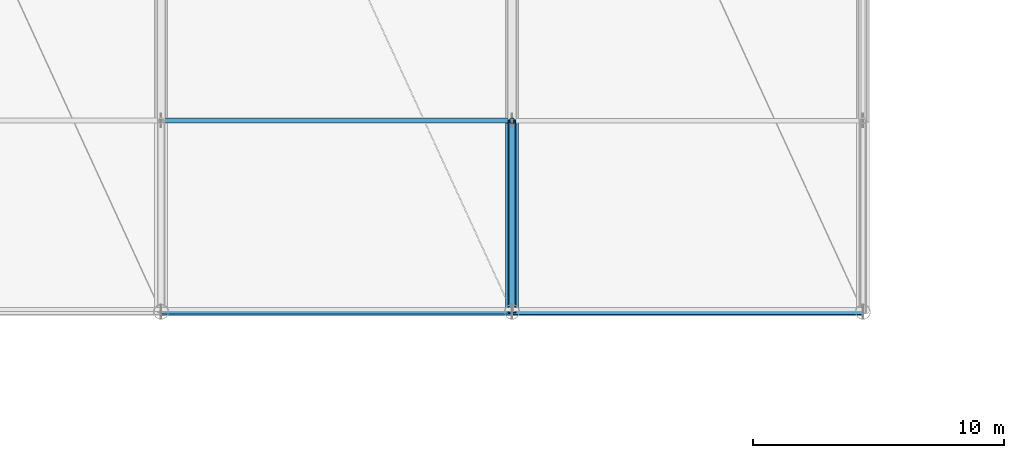
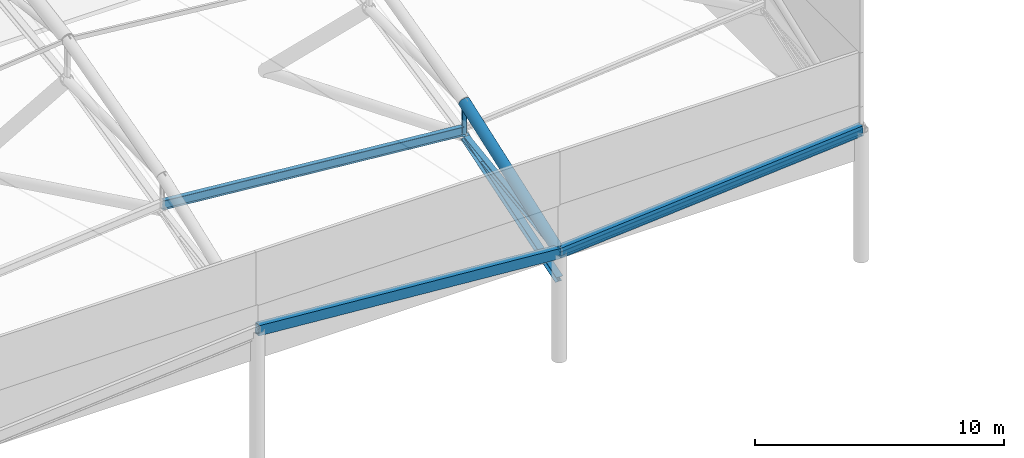
# One storey, part 28 of 113: 7 members, 2 beams.
"""IFC4 building model written with IfcOpenShell, lengths in metres."""

from ifc_helpers import new_model, si_unit, direction, frame, origin, origin_2d, place, context, subcontext, project, spatial, hollow_rectangle, hollow_circle, i_section, extrude, material, material_profile, profile_set, type_object, element, save


model = new_model("IFC4")

# Units and contexts
model_context = context("Model", 3, precision=1e-05, world=origin(), true_north=direction((0.0, 1.0)))
body_context = subcontext(model_context, "Body", "Model", "MODEL_VIEW")
ifc_project = project(units=[si_unit("LENGTHUNIT", "METRE"), si_unit("AREAUNIT", "SQUARE_METRE"), si_unit("VOLUMEUNIT", "CUBIC_METRE"), si_unit("PLANEANGLEUNIT", "RADIAN"), si_unit("MASSUNIT", "GRAM", prefix="KILO")], contexts=[model_context])

# Site, building, storey
site_placement = place(None, origin())
site = spatial("IfcSite", under=ifc_project, at=site_placement, CompositionType="ELEMENT")
building_placement = place(site_placement, origin())
building = spatial("IfcBuilding", under=site, at=building_placement, Name="Linyun Crest Stadium", CompositionType="ELEMENT")
storey_placement = place(building_placement, frame((0.0, 0.0, 26.39990234375)))
storey = spatial("IfcBuildingStorey", under=building, at=storey_placement, Name="L06", CompositionType="ELEMENT", Elevation=26.39990234375)

# Beams
ifc_material_1 = material(Name="Steel Q420C", Category="steel")
ifc_material_profile_1 = material_profile(ifc_material_1, hollow_rectangle(XDim=0.300048828125, YDim=0.5, WallThickness=0.02001953125, at=origin_2d()), Name="RHS 500x300x20")
ifc_profile_set_1 = profile_set([ifc_material_profile_1], Name="Steel Q420C")
beam_type = type_object("IfcBeamType", Name="HB03", PredefinedType="USERDEFINED", material=ifc_profile_set_1)
for number, where, z_axis, x_axis, name in (
    (1, (0.0, 61.0, 6.35302734375), (0.996899727779, 0.0, -0.078682480607), (0.0, 1.0, 0.0), "Roof Inner tension ring beam HB03 V3 33"),
    (2, (14.0, 61.0, 5.248046875), (0.996899727779, 0.0, 0.078682480607), (0.0, 1.0, 0.0), "Roof Inner tension ring beam HB03 V3 35"),
):
    element("IfcBeam", number, at=place(storey_placement, frame(where, z_axis=z_axis, x_axis=x_axis)), inside=storey, type_object=beam_type, Name=name, ObjectType="RING BEAM", PredefinedType="USERDEFINED", context=body_context, shape_type="SweptSolid", body=[
        extrude(hollow_rectangle(XDim=0.300048828125, YDim=0.5, WallThickness=0.02001953125, at=origin_2d()), origin(), (0.0, 0.0, 1.0), 14.04345703125),
    ])

# Members
ifc_material_2 = material(Name="Steel Q355B", Category="steel")
ifc_material_profile_2 = material_profile(ifc_material_2, i_section(OverallWidth=0.199951171875, OverallDepth=0.449951171875, WebThickness=0.009033203125, FlangeThickness=0.013916015625, at=origin_2d()), Name="HN 450x200")
ifc_profile_set_2 = profile_set([ifc_material_profile_2], Name="Steel Q355B")
member_type_1 = type_object("IfcMemberType", Name="PR04", PredefinedType="PURLIN", material=ifc_profile_set_2)
member_1_placement = place(storey_placement, frame((0.0, 68.625, 7.842041015625), z_axis=(0.99601922118, 0.0, -0.089138717967), x_axis=(0.0, 1.0, 0.0)))
element("IfcMember", 3, at=member_1_placement, inside=storey, type_object=member_type_1, Name="Roof canopy purlin PR04 V3 465", PredefinedType="PURLIN", context=body_context, shape_type="SweptSolid", body=[
    extrude(i_section(OverallWidth=0.199951171875, OverallDepth=0.449951171875, WebThickness=0.009033203125, FlangeThickness=0.013916015625, at=origin_2d()), origin(), (0.0, 0.0, 1.0), 14.055908203125),
])
ifc_material_3 = material(Name="Steel Q355B", Category="steel")
ifc_material_profile_3 = material_profile(ifc_material_3, i_section(OverallWidth=0.175048828125, OverallDepth=0.243896484375, WebThickness=0.007080078125, FlangeThickness=0.010986328125, at=origin_2d()), Name="HM 244x175")
ifc_profile_set_3 = profile_set([ifc_material_profile_3], Name="Steel Q355B")
member_type_2 = type_object("IfcMemberType", Name="PR05", PredefinedType="PURLIN", material=ifc_profile_set_3)
member_2_placement = place(storey_placement, frame((0.0, 61.0, 6.27099609375), z_axis=(0.996899727779, 0.0, -0.078682480607), x_axis=(0.0, 1.0, 0.0)))
element("IfcMember", 4, at=member_2_placement, inside=storey, type_object=member_type_2, Name="Roof canopy purlin PR05 V3 466", PredefinedType="PURLIN", context=body_context, shape_type="SweptSolid", body=[
    extrude(i_section(OverallWidth=0.175048828125, OverallDepth=0.243896484375, WebThickness=0.007080078125, FlangeThickness=0.010986328125, at=origin_2d()), origin(), (0.0, 0.0, 1.0), 14.04345703125),
])
ifc_material_4 = material(Name="Steel Q355B", Category="steel")
ifc_material_profile_4 = material_profile(ifc_material_4, i_section(OverallWidth=0.199951171875, OverallDepth=0.2939453125, WebThickness=0.008056640625, FlangeThickness=0.011962890625, at=origin_2d()), Name="HM 294x200")
ifc_profile_set_4 = profile_set([ifc_material_profile_4], Name="Steel Q355B")
member_type_3 = type_object("IfcMemberType", Name="PR06", PredefinedType="PURLIN", material=ifc_profile_set_4)
member_3_placement = place(storey_placement, frame((14.0, 61.0, 5.14111328125), z_axis=(0.996899727779, 0.0, 0.078682480607), x_axis=(0.0, 1.0, 0.0)))
element("IfcMember", 5, at=member_3_placement, inside=storey, type_object=member_type_3, Name="Roof canopy purlin PR06 V3 470", PredefinedType="PURLIN", context=body_context, shape_type="SweptSolid", body=[
    extrude(i_section(OverallWidth=0.199951171875, OverallDepth=0.2939453125, WebThickness=0.008056640625, FlangeThickness=0.011962890625, at=origin_2d()), origin(), (0.0, 0.0, 1.0), 14.04345703125),
])
ifc_material_5 = material(Name="Steel Q420C", Category="steel")
ifc_material_profile_5 = material_profile(ifc_material_5, hollow_circle(Radius=0.25390625, WallThickness=0.02490234375, at=origin_2d()), Name="CHS 508x25")
ifc_profile_set_5 = profile_set([ifc_material_profile_5], Name="Steel Q420C")
member_type_4 = type_object("IfcMemberType", Name="TC01", PredefinedType="CHORD", material=ifc_profile_set_5)
member_4_placement = place(storey_placement, frame((14.0, 68.625, 7.97412109375), z_axis=(0.0, -0.941629992485, -0.336649606048), x_axis=(1.0, 0.0, 0.0)))
element("IfcMember", 6, at=member_4_placement, inside=storey, type_object=member_type_4, Name="Roof truss top chord TC01 V3 431", PredefinedType="CHORD", context=body_context, shape_type="SweptSolid", body=[
    extrude(hollow_circle(Radius=0.25390625, WallThickness=0.02490234375, at=origin_2d()), origin(), (0.0, 0.0, 1.0), 8.09765625),
])
ifc_material_6 = material(Name="Steel Q355C", Category="steel")
ifc_material_profile_6 = material_profile(ifc_material_6, i_section(OverallWidth=0.300048828125, OverallDepth=0.300048828125, WebThickness=0.010009765625, FlangeThickness=0.014892578125, at=origin_2d()), Name="HW 300x300")
ifc_profile_set_6 = profile_set([ifc_material_profile_6], Name="Steel Q355C")
member_type_5 = type_object("IfcMemberType", Name="TC03", PredefinedType="CHORD", material=ifc_profile_set_6)
member_5_placement = place(storey_placement, frame((14.0, 68.625, 6.31005859375), z_axis=(0.0, -0.953360965529, -0.3018325188), x_axis=(1.0, 0.0, 0.0)))
element("IfcMember", 7, at=member_5_placement, inside=storey, type_object=member_type_5, Name="Roof truss bottom chord TC03 V3 432", PredefinedType="CHORD", context=body_context, shape_type="SweptSolid", body=[
    extrude(i_section(OverallWidth=0.300048828125, OverallDepth=0.300048828125, WebThickness=0.010009765625, FlangeThickness=0.014892578125, at=origin_2d()), origin(), (0.0, 0.0, 1.0), 7.998046875),
])
ifc_material_7 = material(Name="Steel Q355C", Category="steel")
ifc_material_profile_7 = material_profile(ifc_material_7, i_section(OverallWidth=0.25, OverallDepth=0.25, WebThickness=0.009033203125, FlangeThickness=0.013916015625, at=origin_2d()), Name="HW 250x250")
ifc_profile_set_7 = profile_set([ifc_material_profile_7], Name="Steel Q355C")
member_type_6 = type_object("IfcMemberType", Name="TD04", PredefinedType="BRACE", material=ifc_profile_set_7)
member_6_placement = place(storey_placement, frame((14.0, 68.625, 6.31005859375), z_axis=(0.0, -0.990439386318, -0.137948620981), x_axis=(1.0, 0.0, 0.0)))
element("IfcMember", 8, at=member_6_placement, inside=storey, type_object=member_type_6, Name="Roof truss diagonal TD04 V3 433", PredefinedType="BRACE", context=body_context, shape_type="SweptSolid", body=[
    extrude(i_section(OverallWidth=0.25, OverallDepth=0.25, WebThickness=0.009033203125, FlangeThickness=0.013916015625, at=origin_2d()), origin(), (0.0, 0.0, 1.0), 7.698486328125),
])
ifc_material_8 = material(Name="Steel Q355C", Category="steel")
ifc_material_profile_8 = material_profile(ifc_material_8, hollow_circle(Radius=0.109619140625, WallThickness=0.011962890625, at=origin_2d()), Name="CHS 219x12")
ifc_profile_set_8 = profile_set([ifc_material_profile_8], Name="Steel Q355C")
member_type_7 = type_object("IfcMemberType", Name="TV01", PredefinedType="STRUT", material=ifc_profile_set_8)
member_7_placement = place(storey_placement, frame((14.0, 68.625, 6.31005859375), z_axis=(0.0, 0.0, 1.0), x_axis=(1.0, 0.0, 0.0)))
element("IfcMember", 9, at=member_7_placement, inside=storey, type_object=member_type_7, Name="Roof vertical strut TV01 V3 434", PredefinedType="STRUT", context=body_context, shape_type="SweptSolid", body=[
    extrude(hollow_circle(Radius=0.109619140625, WallThickness=0.011962890625, at=origin_2d()), origin(), (0.0, 0.0, 1.0), 1.6640625),
])

save(model, "model.ifc")
